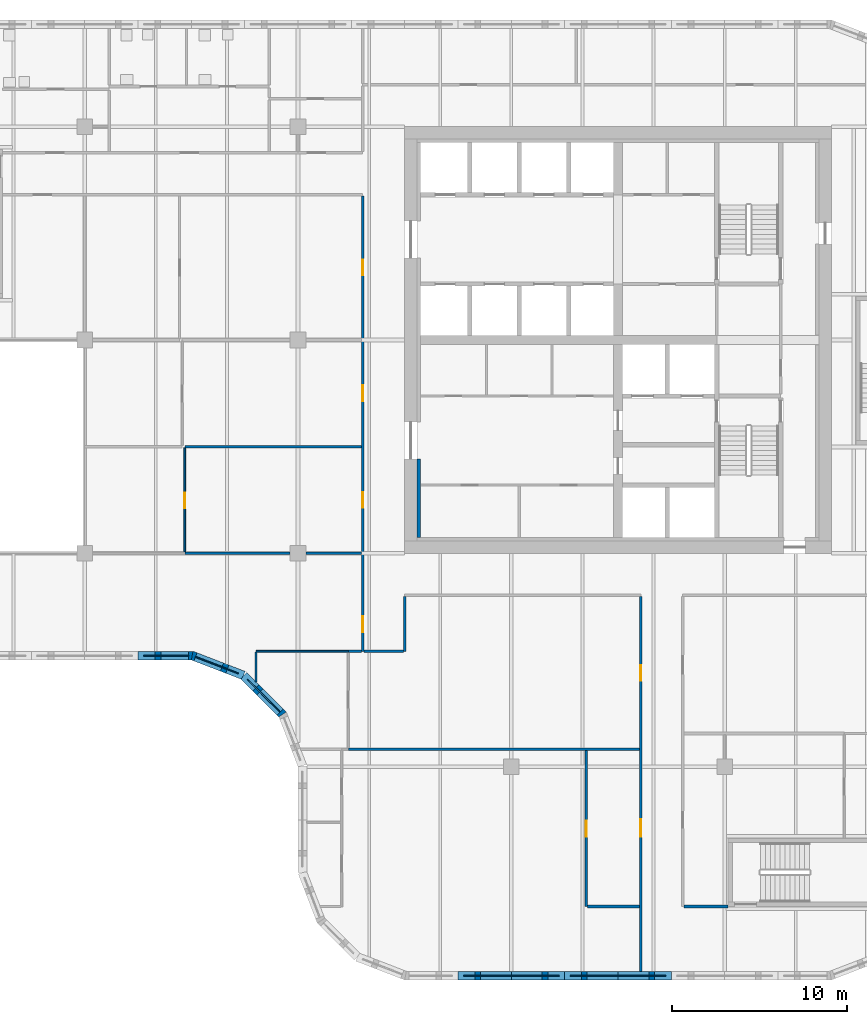
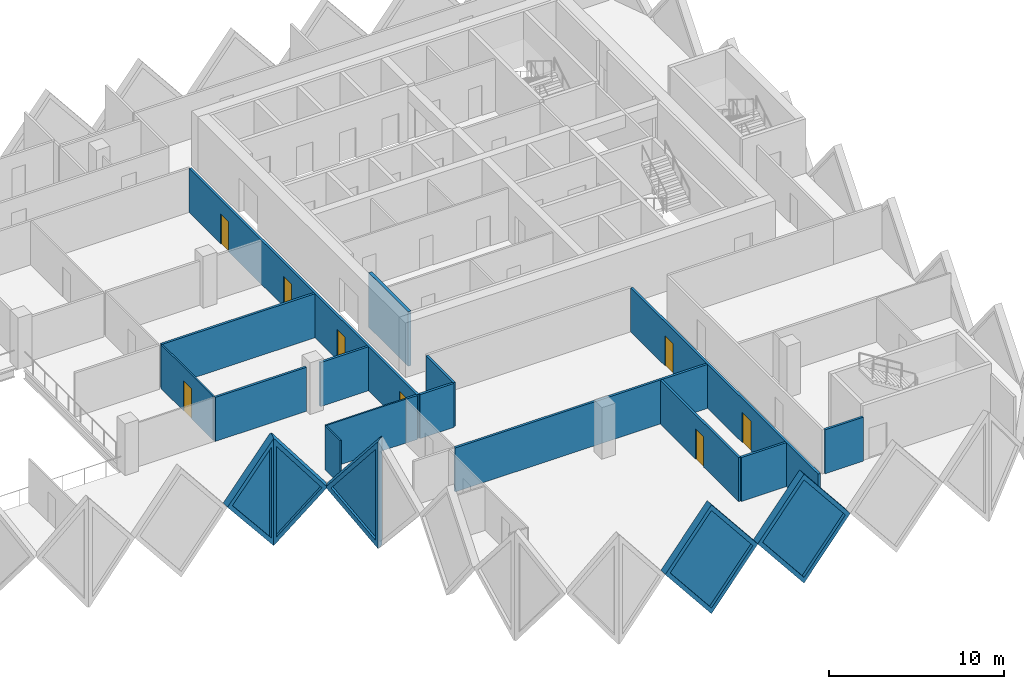
# One storey, part 4 of 13: 21 walls, 8 doors, 5 plates, 13 openings.
"""IFC4 building model written with IfcOpenShell, lengths in metres."""

from ifc_helpers import new_model, si_unit, direction, frame, frame_2d, origin, place, context, subcontext, project, spatial, polyline, rectangle, outline, extrude, faceted_brep, source, transform, mapped, material, layer, layer_set, type_object, element, fill, save


model = new_model("IFC4")

# Units and contexts
model_context = context("Model", 3, precision=1e-05, world=origin(), true_north=direction((0.0, 1.0)))
body_context = subcontext(model_context, "Body", "Model", "MODEL_VIEW")
ifc_project = project(units=[si_unit("LENGTHUNIT", "METRE"), si_unit("AREAUNIT", "SQUARE_METRE"), si_unit("VOLUMEUNIT", "CUBIC_METRE"), si_unit("PLANEANGLEUNIT", "RADIAN"), si_unit("MASSUNIT", "GRAM", prefix="KILO")], contexts=[model_context])

# Site, building, storey
site_placement = place(None, origin())
site = spatial("IfcSite", under=ifc_project, at=site_placement, CompositionType="ELEMENT")
building_placement = place(site_placement, origin())
building = spatial("IfcBuilding", under=site, at=building_placement, Name="Tessera Gate Towers", CompositionType="ELEMENT")
storey_placement = place(building_placement, frame((0.0, 0.0, 120.199951171875)))
storey = spatial("IfcBuildingStorey", under=building, at=storey_placement, Name="L29", CompositionType="ELEMENT", Elevation=120.199951171875)

# Wall
ifc_material_1 = material(Name="Concrete C60/75", Category="concrete")
ifc_layer_1 = layer(ifc_material_1, 0.199951171875)
ifc_layer_set_1 = layer_set([ifc_layer_1], Name="CORE WALL THICKENING 200")
wall_type_1 = type_object("IfcWallType", Name="CORE WALL THICKENING 200", PredefinedType="SOLIDWALL", material=ifc_layer_set_1)
wall_1_placement = place(storey_placement, frame((31.300048828125, 25.300048828125, 0.0), z_axis=(0.0, 0.0, 1.0), x_axis=(0.0, 1.0, 0.0)))
element("IfcWall", 1, at=wall_1_placement, inside=storey, type_object=wall_type_1, Name="Core wall thickening W L29", PredefinedType="SOLIDWALL", context=body_context, shape_type="SweptSolid", body=[
    extrude(rectangle(XDim=4.5, YDim=0.199951171875, at=frame_2d((2.25, 0.0))), origin(), (0.0, 0.0, 1.0), 3.800048828125),
])

# Wall, openings, doors
ifc_material_2 = material(Name="Gypsum board on steel studs, mineral wool", Category="steel")
ifc_layer_2 = layer(ifc_material_2, 0.14990234375)
ifc_layer_set_2 = layer_set([ifc_layer_2], Name="CORRIDOR WALL 150")
wall_type_2 = type_object("IfcWallType", Name="CORRIDOR WALL 150", PredefinedType="PARTITIONING", material=ifc_layer_set_2)
wall_2_placement = place(storey_placement, frame((44.0, 0.5, 0.0), z_axis=(0.0, 0.0, 1.0), x_axis=(0.0, 1.0, 0.0)))
wall_2 = element("IfcWall", 2, at=wall_2_placement, inside=storey, type_object=wall_type_2, Name="T1-L29-PW-001", PredefinedType="PARTITIONING", context=body_context, shape_type="SweptSolid", body=[
    extrude(rectangle(XDim=21.424072265625, YDim=0.14990234375, at=frame_2d((10.7119140625, 0.0))), origin(), (0.0, 0.0, 1.0), 3.067138671875),
])
shared_shape_1 = source(origin(), body_context, "Body", "SweptSolid", [
    extrude(rectangle(XDim=0.89990234375, YDim=2.10009765625, at=frame_2d((0.449951171875, 1.050048828125))), frame((0.0, 0.0849609375, 0.0), z_axis=(0.0, -1.0, 0.0), x_axis=(1.0, 0.0, 0.0)), (0.0, 0.0, 1.0), 0.169921875),
])
opening_1_placement = place(wall_2_placement, frame((16.60107421875, 0.0, 0.0)))
opening_1 = element("IfcOpeningElement", 3, at=opening_1_placement, cuts=wall_2, Name="Opening D890FD60-A10-06", PredefinedType="OPENING", context=body_context, shape_type="MappedRepresentation", body=[
    mapped(shared_shape_1, transform((0.0, 0.0, 0.0), scale=1.0)),
])
shared_shape_2 = source(origin(), body_context, "Body", "SweptSolid", [
    extrude(rectangle(XDim=1.0, YDim=2.10009765625, at=frame_2d((0.5, 1.050048828125))), frame((0.0, 0.0849609375, 0.0), z_axis=(0.0, -1.0, 0.0), x_axis=(1.0, 0.0, 0.0)), (0.0, 0.0, 1.0), 0.169921875),
])
opening_2_placement = place(wall_2_placement, frame((7.699951171875, 0.0, 0.0)))
opening_2 = element("IfcOpeningElement", 4, at=opening_2_placement, cuts=wall_2, Name="Opening D2100FD60-A10-05", PredefinedType="OPENING", context=body_context, shape_type="MappedRepresentation", body=[
    mapped(shared_shape_2, transform((0.0, 0.0, 0.0), scale=1.0)),
])
ifc_material_3 = material(Name="Timber door leaf in steel frame", Category="steel")
door_type_1 = type_object("IfcDoorType", Name="CORRIDOR DOOR 900 FD60", OperationType="NOTDEFINED", PredefinedType="DOOR", material=ifc_material_3)
shared_shape_3 = source(origin(), body_context, "Body", "SweptSolid", [
    extrude(rectangle(XDim=0.89990234375, YDim=2.10009765625, at=frame_2d((0.449951171875, 1.050048828125))), frame((0.0, 0.02490234375, 0.0), z_axis=(0.0, -1.0, 0.0), x_axis=(1.0, 0.0, 0.0)), (0.0, 0.0, 1.0), 0.050048828125),
])
door_1_placement = place(opening_1_placement, origin())
door_1 = element("IfcDoor", 5, at=door_1_placement, inside=storey, type_object=door_type_1, Name="T1-L29-PD-022", OperationType="SINGLE_SWING_LEFT", OverallHeight=2.10009765625, OverallWidth=0.89990234375, PredefinedType="DOOR", context=body_context, shape_type="MappedRepresentation", body=[
    mapped(shared_shape_3, transform((0.0, 0.0, 0.0), scale=1.0)),
])
fill(opening_1, door_1)
ifc_material_4 = material(Name="Timber door leaf in steel frame", Category="steel")
door_type_2 = type_object("IfcDoorType", Name="TENANCY ENTRANCE DOOR 1000 FD60", OperationType="NOTDEFINED", PredefinedType="DOOR", material=ifc_material_4)
shared_shape_4 = source(origin(), body_context, "Body", "SweptSolid", [
    extrude(rectangle(XDim=1.0, YDim=2.10009765625, at=frame_2d((0.5, 1.050048828125))), frame((0.0, 0.02490234375, 0.0), z_axis=(0.0, -1.0, 0.0), x_axis=(1.0, 0.0, 0.0)), (0.0, 0.0, 1.0), 0.050048828125),
])
door_2_placement = place(opening_2_placement, origin())
door_2 = element("IfcDoor", 6, at=door_2_placement, inside=storey, type_object=door_type_2, Name="T1-L29-PD-023", OperationType="SINGLE_SWING_LEFT", OverallHeight=2.10009765625, OverallWidth=1.0, PredefinedType="DOOR", context=body_context, shape_type="MappedRepresentation", body=[
    mapped(shared_shape_4, transform((0.0, 0.0, 0.0), scale=1.0)),
])
fill(opening_2, door_2)

# Wall
wall_3_placement = place(storey_placement, frame((46.47607421875, 4.199951171875, 0.0), z_axis=(0.0, 0.0, 1.0), x_axis=(1.0, 0.0, 0.0)))
element("IfcWall", 7, at=wall_3_placement, inside=storey, type_object=wall_type_2, Name="T1-L29-PW-008", PredefinedType="PARTITIONING", context=body_context, shape_type="SweptSolid", body=[
    extrude(rectangle(XDim=2.52392578125, YDim=0.14990234375, at=frame_2d((1.261962890625, 0.0))), origin(), (0.0, 0.0, 1.0), 3.067138671875),
])

# Wall, openings, doors
wall_4_placement = place(storey_placement, frame((28.10009765625, 18.800048828125, 0.0), z_axis=(0.0, 0.0, 1.0), x_axis=(0.0, 1.0, 0.0)))
wall_4 = element("IfcWall", 8, at=wall_4_placement, inside=storey, type_object=wall_type_2, Name="T1-L29-PW-021", PredefinedType="PARTITIONING", context=body_context, shape_type="SweptSolid", body=[
    extrude(rectangle(XDim=26.02392578125, YDim=0.14990234375, at=frame_2d((13.011962890625, 0.0))), origin(), (0.0, 0.0, 1.0), 3.067138671875),
])
opening_3_placement = place(wall_4_placement, frame((1.10009765625, 0.0, 0.0)))
opening_3 = element("IfcOpeningElement", 9, at=opening_3_placement, cuts=wall_4, Name="Opening D890FD60-A10-01", PredefinedType="OPENING", context=body_context, shape_type="MappedRepresentation", body=[
    mapped(shared_shape_1, transform((0.0, 0.0, 0.0), scale=1.0)),
])
opening_4_placement = place(wall_4_placement, frame((14.301025390625, 0.0, 0.0)))
opening_4 = element("IfcOpeningElement", 10, at=opening_4_placement, cuts=wall_4, Name="Opening D890FD60-A10-02", PredefinedType="OPENING", context=body_context, shape_type="MappedRepresentation", body=[
    mapped(shared_shape_1, transform((0.0, 0.0, 0.0), scale=1.0)),
])
opening_5_placement = place(wall_4_placement, frame((8.199951171875, 0.0, 0.0)))
opening_5 = element("IfcOpeningElement", 11, at=opening_5_placement, cuts=wall_4, Name="Opening D890FD60-A10-03", PredefinedType="OPENING", context=body_context, shape_type="MappedRepresentation", body=[
    mapped(shared_shape_1, transform((0.0, 0.0, 0.0), scale=1.0)),
])
opening_6_placement = place(wall_4_placement, frame((21.5, 0.0, 0.0)))
opening_6 = element("IfcOpeningElement", 12, at=opening_6_placement, cuts=wall_4, Name="Opening D890FD60-A10-04", PredefinedType="OPENING", context=body_context, shape_type="MappedRepresentation", body=[
    mapped(shared_shape_1, transform((0.0, 0.0, 0.0), scale=1.0)),
])
door_3_placement = place(opening_3_placement, origin())
door_3 = element("IfcDoor", 13, at=door_3_placement, inside=storey, type_object=door_type_1, Name="T1-L29-PD-001", OperationType="SINGLE_SWING_LEFT", OverallHeight=2.10009765625, OverallWidth=0.89990234375, PredefinedType="DOOR", context=body_context, shape_type="MappedRepresentation", body=[
    mapped(shared_shape_3, transform((0.0, 0.0, 0.0), scale=1.0)),
])
fill(opening_3, door_3)
door_4_placement = place(opening_4_placement, origin())
door_4 = element("IfcDoor", 14, at=door_4_placement, inside=storey, type_object=door_type_1, Name="T1-L29-PD-014", OperationType="SINGLE_SWING_LEFT", OverallHeight=2.10009765625, OverallWidth=0.89990234375, PredefinedType="DOOR", context=body_context, shape_type="MappedRepresentation", body=[
    mapped(shared_shape_3, transform((0.0, 0.0, 0.0), scale=1.0)),
])
fill(opening_4, door_4)
door_5_placement = place(opening_5_placement, origin())
door_5 = element("IfcDoor", 15, at=door_5_placement, inside=storey, type_object=door_type_1, Name="T1-L29-PD-017", OperationType="SINGLE_SWING_LEFT", OverallHeight=2.10009765625, OverallWidth=0.89990234375, PredefinedType="DOOR", context=body_context, shape_type="MappedRepresentation", body=[
    mapped(shared_shape_3, transform((0.0, 0.0, 0.0), scale=1.0)),
])
fill(opening_5, door_5)
door_6_placement = place(opening_6_placement, origin())
door_6 = element("IfcDoor", 16, at=door_6_placement, inside=storey, type_object=door_type_1, Name="T1-L29-PD-020", OperationType="SINGLE_SWING_LEFT", OverallHeight=2.10009765625, OverallWidth=0.89990234375, PredefinedType="DOOR", context=body_context, shape_type="MappedRepresentation", body=[
    mapped(shared_shape_3, transform((0.0, 0.0, 0.0), scale=1.0)),
])
fill(opening_6, door_6)

# Walls
wall_5_placement = place(storey_placement, frame((28.176025390625, 18.800048828125, 0.0), z_axis=(0.0, 0.0, 1.0), x_axis=(1.0, 0.0, 0.0)))
element("IfcWall", 17, at=wall_5_placement, inside=storey, type_object=wall_type_2, Name="T1-L29-PW-022", PredefinedType="PARTITIONING", context=body_context, shape_type="SweptSolid", body=[
    extrude(rectangle(XDim=2.248046875, YDim=0.14990234375, at=frame_2d((1.1240234375, 0.0))), origin(), (0.0, 0.0, 1.0), 3.067138671875),
])
wall_6_placement = place(storey_placement, frame((30.5, 18.800048828125, 0.0), z_axis=(0.0, 0.0, 1.0), x_axis=(0.0, 1.0, 0.0)))
element("IfcWall", 18, at=wall_6_placement, inside=storey, type_object=wall_type_2, Name="T1-L29-PW-023", PredefinedType="PARTITIONING", context=body_context, shape_type="SweptSolid", body=[
    extrude(rectangle(XDim=3.1240234375, YDim=0.14990234375, at=frame_2d((1.56201171875, 0.0))), origin(), (0.0, 0.0, 1.0), 3.067138671875),
])
ifc_material_5 = material(Name="Glass", Category="glass")
ifc_layer_3 = layer(ifc_material_5, 0.10009765625)
ifc_layer_set_3 = layer_set([ifc_layer_3], Name="GLAZED PARTITION 100")
wall_type_3 = type_object("IfcWallType", Name="GLAZED PARTITION 100", PredefinedType="PARTITIONING", material=ifc_layer_set_3)
wall_7_placement = place(storey_placement, frame((22.0, 17.054931640625, 0.0), z_axis=(0.0, 0.0, 1.0), x_axis=(0.0, 1.0, 0.0)))
element("IfcWall", 19, at=wall_7_placement, inside=storey, type_object=wall_type_3, Name="T1-L29-PW-018", PredefinedType="PARTITIONING", context=body_context, shape_type="SweptSolid", body=[
    extrude(rectangle(XDim=1.694091796875, YDim=0.10009765625, at=frame_2d((0.84716796875, 0.0))), origin(), (0.0, 0.0, 1.0), 3.067138671875),
])
wall_8_placement = place(storey_placement, frame((22.0, 18.800048828125, 0.0), z_axis=(0.0, 0.0, 1.0), x_axis=(1.0, 0.0, 0.0)))
element("IfcWall", 20, at=wall_8_placement, inside=storey, type_object=wall_type_3, Name="T1-L29-PW-019", PredefinedType="PARTITIONING", context=body_context, shape_type="SweptSolid", body=[
    extrude(rectangle(XDim=5.27392578125, YDim=0.10009765625, at=frame_2d((2.636962890625, 0.0))), origin(), (0.0, 0.0, 1.0), 3.067138671875),
])

# Wall, opening, door
wall_9_placement = place(storey_placement, frame((17.925048828125, 24.47607421875, 0.0), z_axis=(0.0, 0.0, 1.0), x_axis=(0.0, 1.0, 0.0)))
wall_9 = element("IfcWall", 21, at=wall_9_placement, inside=storey, type_object=wall_type_3, Name="T1-L29-PW-032", PredefinedType="PARTITIONING", context=body_context, shape_type="SweptSolid", body=[
    extrude(rectangle(XDim=5.947998046875, YDim=0.10009765625, at=frame_2d((2.97412109375, 0.0))), origin(), (0.0, 0.0, 1.0), 3.067138671875),
])
shared_shape_5 = source(origin(), body_context, "Body", "SweptSolid", [
    extrude(rectangle(XDim=0.89990234375, YDim=2.10009765625, at=frame_2d((0.449951171875, 1.050048828125))), frame((0.0, 0.06005859375, 0.0), z_axis=(0.0, -1.0, 0.0), x_axis=(1.0, 0.0, 0.0)), (0.0, 0.0, 1.0), 0.1201171875),
])
opening_7_placement = place(wall_9_placement, frame((2.5, 0.0, 0.0)))
opening_7 = element("IfcOpeningElement", 22, at=opening_7_placement, cuts=wall_9, Name="Opening D690-A10-04", PredefinedType="OPENING", context=body_context, shape_type="MappedRepresentation", body=[
    mapped(shared_shape_5, transform((0.0, 0.0, 0.0), scale=1.0)),
])
ifc_material_6 = material(Name="Glass in aluminium frame", Category="aluminium")
door_type_3 = type_object("IfcDoorType", Name="GLAZED DOOR 900 NOT RATED", OperationType="NOTDEFINED", PredefinedType="DOOR", material=ifc_material_6)
door_7_placement = place(opening_7_placement, origin())
door_7 = element("IfcDoor", 23, at=door_7_placement, inside=storey, type_object=door_type_3, Name="T1-L29-PD-011", OperationType="SINGLE_SWING_LEFT", OverallHeight=2.10009765625, OverallWidth=0.89990234375, PredefinedType="DOOR", context=body_context, shape_type="MappedRepresentation", body=[
    mapped(shared_shape_3, transform((0.0, 0.0, 0.0), scale=1.0)),
])
fill(opening_7, door_7)

ifc_material_7 = material(Name="Gypsum board on steel studs, mineral wool", Category="steel")
ifc_layer_4 = layer(ifc_material_7, 0.14990234375)
ifc_layer_set_4 = layer_set([ifc_layer_4], Name="TENANCY WALL 150")
wall_type_4 = type_object("IfcWallType", Name="TENANCY WALL 150", PredefinedType="PARTITIONING", material=ifc_layer_set_4)
wall_10_placement = place(storey_placement, frame((40.875, 4.199951171875, 0.0), z_axis=(0.0, 0.0, 1.0), x_axis=(0.0, 1.0, 0.0)))
wall_10 = element("IfcWall", 24, at=wall_10_placement, inside=storey, type_object=wall_type_4, Name="T1-L29-PW-005", PredefinedType="PARTITIONING", context=body_context, shape_type="SweptSolid", body=[
    extrude(rectangle(XDim=8.924072265625, YDim=0.14990234375, at=frame_2d((4.4619140625, 0.0))), origin(), (0.0, 0.0, 1.0), 3.067138671875),
])
opening_8_placement = place(wall_10_placement, frame((4.0, 0.0, 0.0)))
opening_8 = element("IfcOpeningElement", 25, at=opening_8_placement, cuts=wall_10, Name="Opening D190-A10-07", PredefinedType="OPENING", context=body_context, shape_type="MappedRepresentation", body=[
    mapped(shared_shape_1, transform((0.0, 0.0, 0.0), scale=1.0)),
])
ifc_material_8 = material(Name="Timber door leaf in steel frame", Category="steel")
door_type_4 = type_object("IfcDoorType", Name="INTERNAL DOOR 900 NOT RATED", OperationType="NOTDEFINED", PredefinedType="DOOR", material=ifc_material_8)
door_8_placement = place(opening_8_placement, origin())
door_8 = element("IfcDoor", 26, at=door_8_placement, inside=storey, type_object=door_type_4, Name="T1-L29-PD-026", OperationType="SINGLE_SWING_LEFT", OverallHeight=2.10009765625, OverallWidth=0.89990234375, PredefinedType="DOOR", context=body_context, shape_type="MappedRepresentation", body=[
    mapped(shared_shape_3, transform((0.0, 0.0, 0.0), scale=1.0)),
])
fill(opening_8, door_8)

# Walls
wall_11_placement = place(storey_placement, frame((40.950927734375, 4.199951171875, 0.0), z_axis=(0.0, 0.0, 1.0), x_axis=(1.0, 0.0, 0.0)))
element("IfcWall", 27, at=wall_11_placement, inside=storey, type_object=wall_type_4, Name="T1-L29-PW-006", PredefinedType="PARTITIONING", context=body_context, shape_type="SweptSolid", body=[
    extrude(rectangle(XDim=2.97314453125, YDim=0.14990234375, at=frame_2d((1.486572265625, 0.0))), origin(), (0.0, 0.0, 1.0), 3.067138671875),
])
wall_12_placement = place(storey_placement, frame((27.27490234375, 13.199951171875, 0.0), z_axis=(0.0, 0.0, 1.0), x_axis=(1.0, 0.0, 0.0)))
element("IfcWall", 28, at=wall_12_placement, inside=storey, type_object=wall_type_4, Name="T1-L29-PW-014", PredefinedType="PARTITIONING", context=body_context, shape_type="SweptSolid", body=[
    extrude(rectangle(XDim=16.649169921875, YDim=0.14990234375, at=frame_2d((8.32470703125, 0.0))), origin(), (0.0, 0.0, 1.0), 3.067138671875),
])
wall_13_placement = place(storey_placement, frame((27.27490234375, 18.800048828125, 0.0), z_axis=(0.0, 0.0, 1.0), x_axis=(1.0, 0.0, 0.0)))
element("IfcWall", 29, at=wall_13_placement, inside=storey, type_object=wall_type_4, Name="T1-L29-PW-020", PredefinedType="PARTITIONING", context=body_context, shape_type="SweptSolid", body=[
    extrude(rectangle(XDim=0.7490234375, YDim=0.14990234375, at=frame_2d((0.37451171875, 0.0))), origin(), (0.0, 0.0, 1.0), 3.067138671875),
])
wall_14_placement = place(storey_placement, frame((17.925048828125, 24.39990234375, 0.0), z_axis=(0.0, 0.0, 1.0), x_axis=(1.0, 0.0, 0.0)))
element("IfcWall", 30, at=wall_14_placement, inside=storey, type_object=wall_type_4, Name="T1-L29-PW-030", PredefinedType="PARTITIONING", context=body_context, shape_type="SweptSolid", body=[
    extrude(rectangle(XDim=6.02392578125, YDim=0.14990234375, at=frame_2d((3.011962890625, 0.0))), origin(), (0.0, 0.0, 1.0), 3.067138671875),
])
wall_15_placement = place(storey_placement, frame((24.85107421875, 24.39990234375, 0.0), z_axis=(0.0, 0.0, 1.0), x_axis=(1.0, 0.0, 0.0)))
element("IfcWall", 31, at=wall_15_placement, inside=storey, type_object=wall_type_4, Name="T1-L29-PW-031", PredefinedType="PARTITIONING", context=body_context, shape_type="SweptSolid", body=[
    extrude(rectangle(XDim=3.1728515625, YDim=0.14990234375, at=frame_2d((1.58642578125, 0.0))), origin(), (0.0, 0.0, 1.0), 3.067138671875),
])
wall_16_placement = place(storey_placement, frame((17.925048828125, 30.5, 0.0), z_axis=(0.0, 0.0, 1.0), x_axis=(1.0, 0.0, 0.0)))
element("IfcWall", 32, at=wall_16_placement, inside=storey, type_object=wall_type_4, Name="T1-L29-PW-034", PredefinedType="PARTITIONING", context=body_context, shape_type="SweptSolid", body=[
    extrude(rectangle(XDim=10.098876953125, YDim=0.14990234375, at=frame_2d((5.04931640625, 0.0))), origin(), (0.0, 0.0, 1.0), 3.067138671875),
])

# Wall, opening, plate
ifc_material_9 = material(Name="Precast concrete C60/75 white", Category="concrete")
ifc_layer_5 = layer(ifc_material_9, 0.5)
ifc_layer_set_5 = layer_set([ifc_layer_5], Name="TS1 tessera")
wall_type_5 = type_object("IfcWallType", Name="TS1 tessera", PredefinedType="SOLIDWALL", material=ifc_layer_set_5)
shared_shape_6 = source(origin(), body_context, "Body", "Brep", [
    faceted_brep([(3.050048828125, -0.25, 0.0), (6.099853515625, -0.25, 3.7998046875), (6.099853515625, -0.25, 3.80029296875), (3.050048828125, -0.25, 7.60009765625), (0.0, -0.25, 3.800048828125), (0.0, 0.25, 3.800048828125), (3.050048828125, 0.25, 7.60009765625), (6.099853515625, 0.25, 3.80029296875), (6.099853515625, 0.25, 3.7998046875), (3.050048828125, 0.25, 0.0)], [[[0, 1, 2, 3, 4]], [[5, 6, 7, 8, 9]], [[9, 8, 1, 0]], [[7, 6, 3, 2]], [[6, 5, 4, 3]], [[5, 9, 0, 4]], [[1, 8, 7, 2]]]),
])
wall_17_placement = place(storey_placement, frame((33.550048828125, 0.25, -3.800048828125), z_axis=(0.0, 0.0, 1.0), x_axis=(1.0, 0.0, 0.0)))
wall_17 = element("IfcWall", 33, at=wall_17_placement, inside=storey, type_object=wall_type_5, Name="Precast tessera T1 TS1-0460", PredefinedType="SOLIDWALL", context=body_context, shape_type="MappedRepresentation", body=[
    mapped(shared_shape_6, transform((0.0, 0.0, 0.0), scale=1.0)),
])
shared_shape_7 = source(origin(), body_context, "Body", "SweptSolid", [
    extrude(outline(polyline([(3.050048828125, 0.3994140625), (5.779541015625, 3.800048828125), (3.050048828125, 7.20068359375), (0.320556640625, 3.800048828125), (3.050048828125, 0.3994140625)])), frame((0.0, 0.260009765625, 0.0), z_axis=(0.0, -1.0, 0.0), x_axis=(1.0, 0.0, 0.0)), (0.0, 0.0, 1.0), 0.52001953125),
])
opening_9_placement = place(wall_17_placement, origin())
opening_9 = element("IfcOpeningElement", 34, at=opening_9_placement, cuts=wall_17, Name="Opening T1-PL2-0942", PredefinedType="OPENING", context=body_context, shape_type="MappedRepresentation", body=[
    mapped(shared_shape_7, transform((0.0, 0.0, 0.0), scale=1.0)),
])
ifc_material_10 = material(Name="Low-e laminated glass", Category="glass")
ifc_layer_6 = layer(ifc_material_10, 0.06005859375)
ifc_layer_set_6 = layer_set([ifc_layer_6], Name="PL2 rhombic pane")
plate_type = type_object("IfcPlateType", Name="PL2 rhombic pane", PredefinedType="SHEET", material=ifc_layer_set_6)
shared_shape_8 = source(origin(), body_context, "Body", "SweptSolid", [
    extrude(outline(polyline([(3.050048828125, 0.3994140625), (5.779541015625, 3.800048828125), (3.050048828125, 7.20068359375), (0.320556640625, 3.800048828125), (3.050048828125, 0.3994140625)])), frame((0.0, 0.030029296875, 0.0), z_axis=(0.0, -1.0, 0.0), x_axis=(1.0, 0.0, 0.0)), (0.0, 0.0, 1.0), 0.06005859375),
])
plate_1_placement = place(opening_9_placement, origin())
plate_1 = element("IfcPlate", 35, at=plate_1_placement, inside=storey, type_object=plate_type, Name="Glass pane T1 PL2-0942", PredefinedType="SHEET", context=body_context, shape_type="MappedRepresentation", body=[
    mapped(shared_shape_8, transform((0.0, 0.0, 0.0), scale=1.0)),
])
fill(opening_9, plate_1)

shared_shape_9 = source(origin(), body_context, "Body", "SweptSolid", [
    extrude(outline(polyline([(3.050048828125, 0.0), (6.10009765625, 3.800048828125), (3.050048828125, 7.60009765625), (0.0, 3.800048828125), (3.050048828125, 0.0)])), frame((0.0, 0.25, 0.0), z_axis=(0.0, -1.0, 0.0), x_axis=(1.0, 0.0, 0.0)), (0.0, 0.0, 1.0), 0.5),
])
wall_18_placement = place(storey_placement, frame((39.64990234375, 0.25, -3.800048828125), z_axis=(0.0, 0.0, 1.0), x_axis=(1.0, 0.0, 0.0)))
wall_18 = element("IfcWall", 36, at=wall_18_placement, inside=storey, type_object=wall_type_5, Name="Precast tessera T1 TS1-0461", PredefinedType="SOLIDWALL", context=body_context, shape_type="MappedRepresentation", body=[
    mapped(shared_shape_9, transform((0.0, 0.0, 0.0), scale=1.0)),
])
opening_10_placement = place(wall_18_placement, origin())
opening_10 = element("IfcOpeningElement", 37, at=opening_10_placement, cuts=wall_18, Name="Opening T1-PL2-0943", PredefinedType="OPENING", context=body_context, shape_type="MappedRepresentation", body=[
    mapped(shared_shape_7, transform((0.0, 0.0, 0.0), scale=1.0)),
])
plate_2_placement = place(opening_10_placement, origin())
plate_2 = element("IfcPlate", 38, at=plate_2_placement, inside=storey, type_object=plate_type, Name="Glass pane T1 PL2-0943", PredefinedType="SHEET", context=body_context, shape_type="MappedRepresentation", body=[
    mapped(shared_shape_8, transform((0.0, 0.0, 0.0), scale=1.0)),
])
fill(opening_10, plate_2)

ifc_material_11 = material(Name="Precast concrete C60/75 white", Category="concrete")
ifc_layer_7 = layer(ifc_material_11, 0.5)
ifc_layer_set_7 = layer_set([ifc_layer_7], Name="TS3 corner tessera")
wall_type_6 = type_object("IfcWallType", Name="TS3 corner tessera", PredefinedType="SOLIDWALL", material=ifc_layer_set_7)
shared_shape_10 = source(origin(), body_context, "Body", "Brep", [
    faceted_brep([(3.050048828125, -0.25, 7.543212890625), (0.0, -0.25, 3.800048828125), (3.050048828125, -0.25, 0.056884765625), (0.0, 0.25, 3.800048828125), (3.096435546875, 0.25, 7.60009765625), (3.14306640625, 0.25, 7.543701171875), (3.14306640625, 0.25, 0.056396484375), (3.096435546875, 0.25, 0.0), (3.096435546875, -0.00048828125, 0.0), (3.096435546875, -0.00048828125, 7.60009765625)], [[[0, 1, 2]], [[3, 4, 5, 6, 7]], [[7, 6, 8]], [[5, 4, 9]], [[4, 3, 1, 0, 9]], [[3, 7, 8, 2, 1]], [[2, 8, 6, 5, 9, 0]]]),
])
wall_19_placement = place(storey_placement, frame((15.25, 18.550048828125, -3.800048828125), z_axis=(0.0, 0.0, 1.0), x_axis=(1.0, 0.0, 0.0)))
wall_19 = element("IfcWall", 39, at=wall_19_placement, inside=storey, type_object=wall_type_6, Name="Precast corner tessera T1 TS3-0667", PredefinedType="SOLIDWALL", context=body_context, shape_type="MappedRepresentation", body=[
    mapped(shared_shape_10, transform((0.0, 0.0, 0.0), scale=1.0)),
])
shared_shape_11 = source(origin(), body_context, "Body", "SweptSolid", [
    extrude(outline(polyline([(2.896484375, 6.958984375), (0.322509765625, 3.800048828125), (2.896484375, 0.641357421875), (2.896484375, 6.958984375)])), frame((0.0, 0.260009765625, 0.0), z_axis=(0.0, -1.0, 0.0), x_axis=(1.0, 0.0, 0.0)), (0.0, 0.0, 1.0), 0.52001953125),
])
opening_11_placement = place(wall_19_placement, origin())
opening_11 = element("IfcOpeningElement", 40, at=opening_11_placement, cuts=wall_19, Name="Opening T1-PL2-0980", PredefinedType="OPENING", context=body_context, shape_type="MappedRepresentation", body=[
    mapped(shared_shape_11, transform((0.0, 0.0, 0.0), scale=1.0)),
])
shared_shape_12 = source(origin(), body_context, "Body", "SweptSolid", [
    extrude(outline(polyline([(2.896484375, 6.958984375), (0.322509765625, 3.800048828125), (2.896484375, 0.641357421875), (2.896484375, 6.958984375)])), frame((0.0, 0.030029296875, 0.0), z_axis=(0.0, -1.0, 0.0), x_axis=(1.0, 0.0, 0.0)), (0.0, 0.0, 1.0), 0.06005859375),
])
plate_3_placement = place(opening_11_placement, origin())
plate_3 = element("IfcPlate", 41, at=plate_3_placement, inside=storey, type_object=plate_type, Name="Glass pane T1 PL2-0980", PredefinedType="SHEET", context=body_context, shape_type="MappedRepresentation", body=[
    mapped(shared_shape_12, transform((0.0, 0.0, 0.0), scale=1.0)),
])
fill(opening_11, plate_3)

shared_shape_13 = source(origin(), body_context, "Body", "Brep", [
    faceted_brep([(0.09326171875, -0.25, 0.05615234375), (3.14306640625, -0.25, 3.736328125), (3.14306640625, -0.25, 3.86376953125), (0.09326171875, -0.25, 7.5439453125), (0.0, 0.25, 7.54296875), (0.046630859375, 0.25, 7.60009765625), (3.196044921875, 0.25, 3.800048828125), (0.046630859375, 0.25, 0.0), (0.0, 0.25, 0.05712890625), (3.196044921875, -0.000244140625, 3.800048828125), (0.046630859375, 0.0, 0.0), (0.046630859375, 0.0, 7.60009765625)], [[[0, 1, 2, 3]], [[4, 5, 6, 7, 8]], [[7, 6, 9, 1, 0, 10]], [[6, 5, 11, 3, 2, 9]], [[5, 4, 11]], [[8, 7, 10]], [[8, 10, 0, 3, 11, 4]], [[1, 9, 2]]]),
])
wall_20_placement = place(storey_placement, frame((18.302978515625, 18.56689453125, -3.800048828125), z_axis=(0.0, 0.0, 1.0), x_axis=(0.932978940178, -0.359930961693, 0.0)))
wall_20 = element("IfcWall", 42, at=wall_20_placement, inside=storey, type_object=wall_type_6, Name="Precast corner tessera T1 TS3-0668", PredefinedType="SOLIDWALL", context=body_context, shape_type="MappedRepresentation", body=[
    mapped(shared_shape_13, transform((0.0, 0.0, 0.0), scale=1.0)),
])
shared_shape_14 = source(origin(), body_context, "Body", "SweptSolid", [
    extrude(outline(polyline([(0.24658203125, 0.63330078125), (2.871337890625, 3.800048828125), (0.24658203125, 6.967041015625), (0.24658203125, 0.63330078125)])), frame((0.0, 0.260009765625, 0.0), z_axis=(0.0, -1.0, 0.0), x_axis=(1.0, 0.0, 0.0)), (0.0, 0.0, 1.0), 0.52001953125),
])
opening_12_placement = place(wall_20_placement, origin())
opening_12 = element("IfcOpeningElement", 43, at=opening_12_placement, cuts=wall_20, Name="Opening T1-PL2-0981", PredefinedType="OPENING", context=body_context, shape_type="MappedRepresentation", body=[
    mapped(shared_shape_14, transform((0.0, 0.0, 0.0), scale=1.0)),
])
shared_shape_15 = source(origin(), body_context, "Body", "SweptSolid", [
    extrude(outline(polyline([(0.24658203125, 0.63330078125), (2.871337890625, 3.800048828125), (0.24658203125, 6.967041015625), (0.24658203125, 0.63330078125)])), frame((0.0, 0.030029296875, 0.0), z_axis=(0.0, -1.0, 0.0), x_axis=(1.0, 0.0, 0.0)), (0.0, 0.0, 1.0), 0.06005859375),
])
plate_4_placement = place(opening_12_placement, origin())
plate_4 = element("IfcPlate", 44, at=plate_4_placement, inside=storey, type_object=plate_type, Name="Glass pane T1 PL2-0981", PredefinedType="SHEET", context=body_context, shape_type="MappedRepresentation", body=[
    mapped(shared_shape_15, transform((0.0, 0.0, 0.0), scale=1.0)),
])
fill(opening_12, plate_4)

shared_shape_16 = source(origin(), body_context, "Body", "Brep", [
    faceted_brep([(3.10302734375, -0.25, 7.536376953125), (0.052978515625, -0.25, 3.86376953125), (0.052978515625, -0.25, 3.736328125), (3.10302734375, -0.25, 0.063720703125), (0.0, 0.25, 3.800048828125), (3.15576171875, 0.25, 7.60009765625), (3.208740234375, 0.25, 7.5361328125), (3.208740234375, 0.25, 0.06396484375), (3.15576171875, 0.25, 0.0), (3.15576171875, -0.00048828125, 0.0), (3.15576171875, -0.00048828125, 7.60009765625), (0.0, 0.0, 3.800048828125)], [[[0, 1, 2, 3]], [[4, 5, 6, 7, 8]], [[8, 7, 9]], [[6, 5, 10]], [[5, 4, 11, 1, 0, 10]], [[4, 8, 9, 3, 2, 11]], [[11, 2, 1]], [[3, 9, 7, 6, 10, 0]]]),
])
wall_21_placement = place(storey_placement, frame((21.284912109375, 17.41650390625, -3.800048828125), z_axis=(0.0, 0.0, 1.0), x_axis=(0.707106781187, -0.707106781187, 0.0)))
wall_21 = element("IfcWall", 45, at=wall_21_placement, inside=storey, type_object=wall_type_6, Name="Precast corner tessera T1 TS3-0669", PredefinedType="SOLIDWALL", context=body_context, shape_type="MappedRepresentation", body=[
    mapped(shared_shape_16, transform((0.0, 0.0, 0.0), scale=1.0)),
])
shared_shape_17 = source(origin(), body_context, "Body", "SweptSolid", [
    extrude(outline(polyline([(2.955810546875, 6.968017578125), (0.324951171875, 3.800048828125), (2.955810546875, 0.63232421875), (2.955810546875, 6.968017578125)])), frame((0.0, 0.260009765625, 0.0), z_axis=(0.0, -1.0, 0.0), x_axis=(1.0, 0.0, 0.0)), (0.0, 0.0, 1.0), 0.52001953125),
])
opening_13_placement = place(wall_21_placement, origin())
opening_13 = element("IfcOpeningElement", 46, at=opening_13_placement, cuts=wall_21, Name="Opening T1-PL2-0982", PredefinedType="OPENING", context=body_context, shape_type="MappedRepresentation", body=[
    mapped(shared_shape_17, transform((0.0, 0.0, 0.0), scale=1.0)),
])
shared_shape_18 = source(origin(), body_context, "Body", "SweptSolid", [
    extrude(outline(polyline([(2.955810546875, 6.968017578125), (0.324951171875, 3.800048828125), (2.955810546875, 0.63232421875), (2.955810546875, 6.968017578125)])), frame((0.0, 0.030029296875, 0.0), z_axis=(0.0, -1.0, 0.0), x_axis=(1.0, 0.0, 0.0)), (0.0, 0.0, 1.0), 0.06005859375),
])
plate_5_placement = place(opening_13_placement, origin())
plate_5 = element("IfcPlate", 47, at=plate_5_placement, inside=storey, type_object=plate_type, Name="Glass pane T1 PL2-0982", PredefinedType="SHEET", context=body_context, shape_type="MappedRepresentation", body=[
    mapped(shared_shape_18, transform((0.0, 0.0, 0.0), scale=1.0)),
])
fill(opening_13, plate_5)

save(model, "model.ifc")
